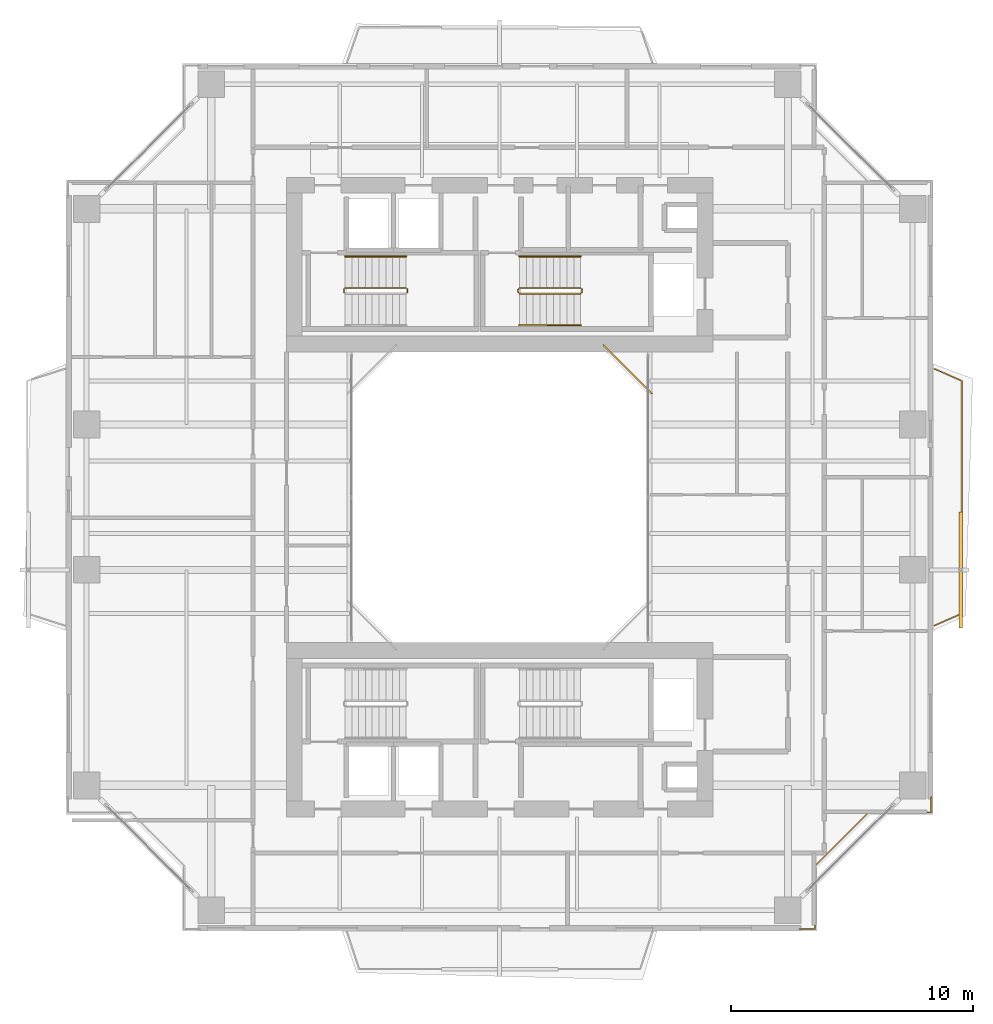
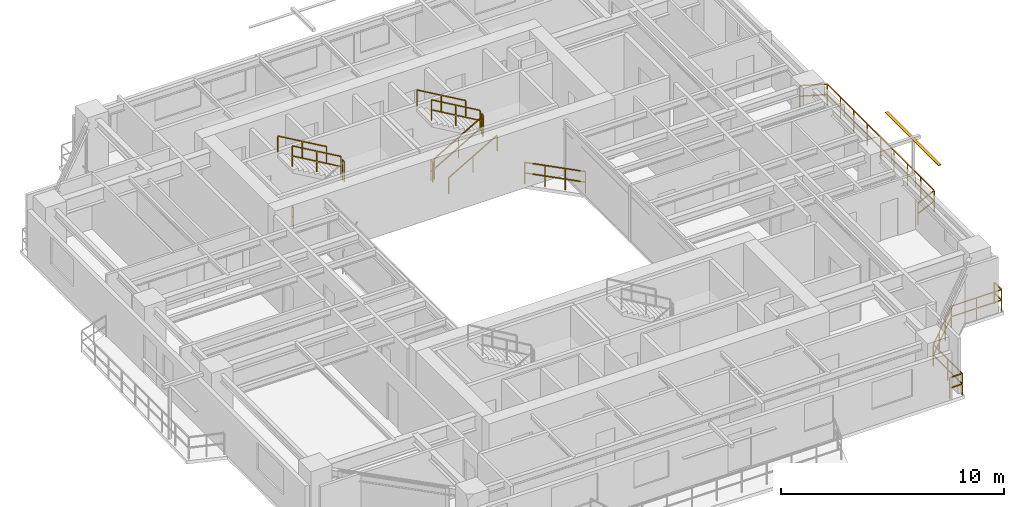
# One storey, part 15 of 16: 13 railings, 1 shading device.
"""IFC4 building model written with IfcOpenShell, lengths in metres."""

from ifc_helpers import new_model, si_unit, direction, frame, origin, origin_2d, place, context, subcontext, project, spatial, rectangle, extrude, source, transform, mapped, material, material_profile, profile_set, type_object, element, save


model = new_model("IFC4")

# Units and contexts
model_context = context("Model", 3, precision=1e-05, world=origin(), true_north=direction((0.0, 1.0)))
body_context = subcontext(model_context, "Body", "Model", "MODEL_VIEW")
ifc_project = project(units=[si_unit("LENGTHUNIT", "METRE"), si_unit("AREAUNIT", "SQUARE_METRE"), si_unit("VOLUMEUNIT", "CUBIC_METRE"), si_unit("PLANEANGLEUNIT", "RADIAN"), si_unit("MASSUNIT", "GRAM", prefix="KILO"), si_unit("THERMODYNAMICTEMPERATUREUNIT", "KELVIN"), si_unit("POWERUNIT", "WATT")], contexts=[model_context])

# Site, building, storey
site_placement = place(None, origin())
site = spatial("IfcSite", under=ifc_project, at=site_placement, CompositionType="ELEMENT")
building_placement = place(site_placement, origin())
building = spatial("IfcBuilding", under=site, at=building_placement, Name="Qiaomeng Ring Towers", CompositionType="ELEMENT")
storey_placement = place(building_placement, frame((0.0, 0.0, 136.0)))
storey = spatial("IfcBuildingStorey", under=building, at=storey_placement, Name="L39", CompositionType="ELEMENT", Elevation=136.0)

# Railings
ifc_material_1 = material(Name="Low-E pale-green laminated safety glass", Category="glass")
railing_type_1 = type_object("IfcRailingType", Name="ARC-RL-BAL1", PredefinedType="BALUSTRADE", material=ifc_material_1)
railing_1_placement = place(storey_placement, frame((25.280029296875, 27.280029296875, 0.0)))
element("IfcRailing", 1, at=railing_1_placement, inside=storey, type_object=railing_type_1, Name="L39 Balustrade ARC-BAL-WELL1-L39-2", PredefinedType="BALUSTRADE", context=body_context, shape_type="SweptSolid", body=[
    extrude(rectangle(XDim=0.048095703125, YDim=0.048095703125, at=origin_2d()), frame((0.0, 0.0, 1.17578125), z_axis=(-0.707106781187, 0.707106781187, 0.0), x_axis=(-0.707106781187, -0.707106781187, 0.0)), (0.0, 0.0, 1.0), 2.828369140625),
    extrude(rectangle(XDim=0.048095703125, YDim=0.048095703125, at=origin_2d()), frame((0.0, 0.0, 0.60009765625), z_axis=(-0.707106781187, 0.707106781187, 0.0), x_axis=(-0.707106781187, -0.707106781187, 0.0)), (0.0, 0.0, 1.0), 2.828369140625),
    extrude(rectangle(XDim=0.0419921875, YDim=0.0419921875, at=origin_2d()), origin(), (0.0, 0.0, 1.0), 1.15185546875),
    extrude(rectangle(XDim=0.0419921875, YDim=0.0419921875, at=origin_2d()), frame((-0.666748046875, 0.666748046875, 0.0)), (0.0, 0.0, 1.0), 1.15185546875),
    extrude(rectangle(XDim=0.0419921875, YDim=0.0419921875, at=origin_2d()), frame((-1.333251953125, 1.333251953125, 0.0)), (0.0, 0.0, 1.0), 1.15185546875),
    extrude(rectangle(XDim=0.0419921875, YDim=0.0419921875, at=origin_2d()), frame((-2.0, 2.0, 0.0)), (0.0, 0.0, 1.0), 1.15185546875),
])
railing_2_placement = place(storey_placement, frame((31.3701171875, 5.179931640625, 0.0)))
element("IfcRailing", 2, at=railing_2_placement, inside=storey, type_object=railing_type_1, Name="L39 Balustrade ARC-BAL-NOTCH1-L39-SE", PredefinedType="BALUSTRADE", context=body_context, shape_type="SweptSolid", body=[
    extrude(rectangle(XDim=0.048095703125, YDim=0.048095703125, at=origin_2d()), frame((0.0, 0.0, 1.17578125), z_axis=(1.0, 0.0, 0.0), x_axis=(0.0, 1.0, 0.0)), (0.0, 0.0, 1.0), 0.64990234375),
    extrude(rectangle(XDim=0.048095703125, YDim=0.048095703125, at=origin_2d()), frame((0.0, 0.0, 0.60009765625), z_axis=(1.0, 0.0, 0.0), x_axis=(0.0, 1.0, 0.0)), (0.0, 0.0, 1.0), 0.64990234375),
    extrude(rectangle(XDim=0.048095703125, YDim=0.048095703125, at=origin_2d()), frame((0.64990234375, 0.0, 1.17578125), z_axis=(0.0, 1.0, 0.0), x_axis=(-1.0, 0.0, 0.0)), (0.0, 0.0, 1.0), 2.60009765625),
    extrude(rectangle(XDim=0.048095703125, YDim=0.048095703125, at=origin_2d()), frame((0.64990234375, 0.0, 0.60009765625), z_axis=(0.0, 1.0, 0.0), x_axis=(-1.0, 0.0, 0.0)), (0.0, 0.0, 1.0), 2.60009765625),
    extrude(rectangle(XDim=0.048095703125, YDim=0.048095703125, at=origin_2d()), frame((0.64990234375, 2.60009765625, 1.17578125), z_axis=(0.707106781187, 0.707106781187, 0.0), x_axis=(-0.707106781187, 0.707106781187, 0.0)), (0.0, 0.0, 1.0), 3.111083984375),
    extrude(rectangle(XDim=0.048095703125, YDim=0.048095703125, at=origin_2d()), frame((0.64990234375, 2.60009765625, 0.60009765625), z_axis=(0.707106781187, 0.707106781187, 0.0), x_axis=(-0.707106781187, 0.707106781187, 0.0)), (0.0, 0.0, 1.0), 3.111083984375),
    extrude(rectangle(XDim=0.048095703125, YDim=0.048095703125, at=origin_2d()), frame((2.849853515625, 4.800048828125, 1.17578125), z_axis=(1.0, 0.0, 0.0), x_axis=(0.0, 1.0, 0.0)), (0.0, 0.0, 1.0), 2.60009765625),
    extrude(rectangle(XDim=0.048095703125, YDim=0.048095703125, at=origin_2d()), frame((2.849853515625, 4.800048828125, 0.60009765625), z_axis=(1.0, 0.0, 0.0), x_axis=(0.0, 1.0, 0.0)), (0.0, 0.0, 1.0), 2.60009765625),
    extrude(rectangle(XDim=0.048095703125, YDim=0.048095703125, at=origin_2d()), frame((5.449951171875, 4.800048828125, 1.17578125), z_axis=(0.0, 1.0, 0.0), x_axis=(-1.0, 0.0, 0.0)), (0.0, 0.0, 1.0), 0.64990234375),
    extrude(rectangle(XDim=0.048095703125, YDim=0.048095703125, at=origin_2d()), frame((5.449951171875, 4.800048828125, 0.60009765625), z_axis=(0.0, 1.0, 0.0), x_axis=(-1.0, 0.0, 0.0)), (0.0, 0.0, 1.0), 0.64990234375),
    extrude(rectangle(XDim=0.0419921875, YDim=0.0419921875, at=origin_2d()), origin(), (0.0, 0.0, 1.0), 1.15185546875),
    extrude(rectangle(XDim=0.0419921875, YDim=0.0419921875, at=origin_2d()), frame((0.64990234375, 0.0, 0.0)), (0.0, 0.0, 1.0), 1.15185546875),
    extrude(rectangle(XDim=0.0419921875, YDim=0.0419921875, at=origin_2d()), frame((0.64990234375, 1.300048828125, 0.0)), (0.0, 0.0, 1.0), 1.15185546875),
    extrude(rectangle(XDim=0.0419921875, YDim=0.0419921875, at=origin_2d()), frame((0.64990234375, 2.60009765625, 0.0)), (0.0, 0.0, 1.0), 1.15185546875),
    extrude(rectangle(XDim=0.0419921875, YDim=0.0419921875, at=origin_2d()), frame((1.38330078125, 3.33349609375, 0.0)), (0.0, 0.0, 1.0), 1.15185546875),
    extrude(rectangle(XDim=0.0419921875, YDim=0.0419921875, at=origin_2d()), frame((2.116455078125, 4.066650390625, 0.0)), (0.0, 0.0, 1.0), 1.15185546875),
    extrude(rectangle(XDim=0.0419921875, YDim=0.0419921875, at=origin_2d()), frame((2.849853515625, 4.800048828125, 0.0)), (0.0, 0.0, 1.0), 1.15185546875),
    extrude(rectangle(XDim=0.0419921875, YDim=0.0419921875, at=origin_2d()), frame((4.14990234375, 4.800048828125, 0.0)), (0.0, 0.0, 1.0), 1.15185546875),
    extrude(rectangle(XDim=0.0419921875, YDim=0.0419921875, at=origin_2d()), frame((5.449951171875, 4.800048828125, 0.0)), (0.0, 0.0, 1.0), 1.15185546875),
    extrude(rectangle(XDim=0.0419921875, YDim=0.0419921875, at=origin_2d()), frame((5.449951171875, 5.449951171875, 0.0)), (0.0, 0.0, 1.0), 1.15185546875),
])
railing_3_placement = place(storey_placement, frame((36.949951171875, 17.699951171875, 0.0)))
element("IfcRailing", 3, at=railing_3_placement, inside=storey, type_object=railing_type_1, Name="L39 Balustrade ARC-BAL-L39-T1-E", PredefinedType="BALUSTRADE", context=body_context, shape_type="SweptSolid", body=[
    extrude(rectangle(XDim=0.048095703125, YDim=0.048095703125, at=origin_2d()), frame((0.0, 0.0, 1.17578125), z_axis=(0.914494575002, 0.404598161504, 0.0), x_axis=(-0.404598161504, 0.914494575002, 0.0)), (0.0, 0.0, 1.0), 1.23583984375),
    extrude(rectangle(XDim=0.048095703125, YDim=0.048095703125, at=origin_2d()), frame((0.0, 0.0, 0.60009765625), z_axis=(0.914494575002, 0.404598161504, 0.0), x_axis=(-0.404598161504, 0.914494575002, 0.0)), (0.0, 0.0, 1.0), 1.23583984375),
    extrude(rectangle(XDim=0.048095703125, YDim=0.048095703125, at=origin_2d()), frame((1.130126953125, 0.5, 1.17578125), z_axis=(0.0, 1.0, 0.0), x_axis=(-1.0, 0.0, 0.0)), (0.0, 0.0, 1.0), 9.60009765625),
    extrude(rectangle(XDim=0.048095703125, YDim=0.048095703125, at=origin_2d()), frame((1.130126953125, 0.5, 0.60009765625), z_axis=(0.0, 1.0, 0.0), x_axis=(-1.0, 0.0, 0.0)), (0.0, 0.0, 1.0), 9.60009765625),
    extrude(rectangle(XDim=0.048095703125, YDim=0.048095703125, at=origin_2d()), frame((1.130126953125, 10.10009765625, 1.17578125), z_axis=(-0.914494575002, 0.404598161504, 0.0), x_axis=(-0.404598161504, -0.914494575002, 0.0)), (0.0, 0.0, 1.0), 1.23583984375),
    extrude(rectangle(XDim=0.048095703125, YDim=0.048095703125, at=origin_2d()), frame((1.130126953125, 10.10009765625, 0.60009765625), z_axis=(-0.914494575002, 0.404598161504, 0.0), x_axis=(-0.404598161504, -0.914494575002, 0.0)), (0.0, 0.0, 1.0), 1.23583984375),
    extrude(rectangle(XDim=0.0419921875, YDim=0.0419921875, at=origin_2d()), origin(), (0.0, 0.0, 1.0), 1.15185546875),
    extrude(rectangle(XDim=0.0419921875, YDim=0.0419921875, at=origin_2d()), frame((1.130126953125, 0.5, 0.0)), (0.0, 0.0, 1.0), 1.15185546875),
    extrude(rectangle(XDim=0.0419921875, YDim=0.0419921875, at=origin_2d()), frame((1.130126953125, 1.699951171875, 0.0)), (0.0, 0.0, 1.0), 1.15185546875),
    extrude(rectangle(XDim=0.0419921875, YDim=0.0419921875, at=origin_2d()), frame((1.130126953125, 2.89990234375, 0.0)), (0.0, 0.0, 1.0), 1.15185546875),
    extrude(rectangle(XDim=0.0419921875, YDim=0.0419921875, at=origin_2d()), frame((1.130126953125, 4.10009765625, 0.0)), (0.0, 0.0, 1.0), 1.15185546875),
    extrude(rectangle(XDim=0.0419921875, YDim=0.0419921875, at=origin_2d()), frame((1.130126953125, 5.300048828125, 0.0)), (0.0, 0.0, 1.0), 1.15185546875),
    extrude(rectangle(XDim=0.0419921875, YDim=0.0419921875, at=origin_2d()), frame((1.130126953125, 6.5, 0.0)), (0.0, 0.0, 1.0), 1.15185546875),
    extrude(rectangle(XDim=0.0419921875, YDim=0.0419921875, at=origin_2d()), frame((1.130126953125, 7.7001953125, 0.0)), (0.0, 0.0, 1.0), 1.15185546875),
    extrude(rectangle(XDim=0.0419921875, YDim=0.0419921875, at=origin_2d()), frame((1.130126953125, 8.900146484375, 0.0)), (0.0, 0.0, 1.0), 1.15185546875),
    extrude(rectangle(XDim=0.0419921875, YDim=0.0419921875, at=origin_2d()), frame((1.130126953125, 10.10009765625, 0.0)), (0.0, 0.0, 1.0), 1.15185546875),
    extrude(rectangle(XDim=0.0419921875, YDim=0.0419921875, at=origin_2d()), frame((0.0, 10.60009765625, 0.0)), (0.0, 0.0, 1.0), 1.15185546875),
])
ifc_material_2 = material(Name="Galvanised steel", Category="steel")
railing_type_2 = type_object("IfcRailingType", Name="ARC-RL-GUARD", PredefinedType="GUARDRAIL", material=ifc_material_2)
railing_4_placement = place(storey_placement, frame((15.18994140625, 31.449951171875, 1.625)))
element("IfcRailing", 4, at=railing_4_placement, inside=storey, type_object=railing_type_2, Name="L39 ST1 stair guard 2", PredefinedType="GUARDRAIL", context=body_context, shape_type="SweptSolid", body=[
    extrude(rectangle(XDim=0.048095703125, YDim=0.048095703125, at=origin_2d()), frame((0.0, 0.0, 1.1259765625), z_axis=(0.0, 1.0, 0.0), x_axis=(-1.0, 0.0, 0.0)), (0.0, 0.0, 1.0), 0.14013671875),
    extrude(rectangle(XDim=0.048095703125, YDim=0.048095703125, at=origin_2d()), frame((0.0, 0.0, 0.574951171875), z_axis=(0.0, 1.0, 0.0), x_axis=(-1.0, 0.0, 0.0)), (0.0, 0.0, 1.0), 0.14013671875),
    extrude(rectangle(XDim=0.0419921875, YDim=0.0419921875, at=origin_2d()), origin(), (0.0, 0.0, 1.0), 1.101806640625),
    extrude(rectangle(XDim=0.0419921875, YDim=0.0419921875, at=origin_2d()), frame((0.0, 0.14013671875, 0.0)), (0.0, 0.0, 1.0), 1.101806640625),
])
railing_5_placement = place(storey_placement, frame((15.139892578125, 31.639892578125, 1.78759765625)))
element("IfcRailing", 5, at=railing_5_placement, inside=storey, type_object=railing_type_2, Name="L39 ST1 stair guard 3", PredefinedType="GUARDRAIL", context=body_context, shape_type="SweptSolid", body=[
    extrude(rectangle(XDim=0.048095703125, YDim=0.048095703125, at=origin_2d()), frame((0.0, 0.0, 1.1259765625), z_axis=(-0.864892226395, 0.0, 0.501957604506), x_axis=(0.0, -1.0, 0.0)), (0.0, 0.0, 1.0), 2.913330078125),
    extrude(rectangle(XDim=0.048095703125, YDim=0.048095703125, at=origin_2d()), frame((0.0, 0.0, 0.574951171875), z_axis=(-0.864892226395, 0.0, 0.501957604506), x_axis=(0.0, -1.0, 0.0)), (0.0, 0.0, 1.0), 2.913330078125),
    extrude(rectangle(XDim=0.0419921875, YDim=0.0419921875, at=origin_2d()), origin(), (0.0, 0.0, 1.0), 1.101806640625),
    extrude(rectangle(XDim=0.0419921875, YDim=0.0419921875, at=origin_2d()), frame((-1.259765625, 0.0, 0.731201171875)), (0.0, 0.0, 1.0), 1.101806640625),
    extrude(rectangle(XDim=0.0419921875, YDim=0.0419921875, at=origin_2d()), frame((-2.519775390625, 0.0, 1.46240234375)), (0.0, 0.0, 1.0), 1.101806640625),
])
railing_6_placement = place(storey_placement, frame((12.570068359375, 31.449951171875, 0.0)))
element("IfcRailing", 6, at=railing_6_placement, inside=storey, type_object=railing_type_2, Name="L39 ST1 stair guard 4", PredefinedType="GUARDRAIL", context=body_context, shape_type="SweptSolid", body=[
    extrude(rectangle(XDim=0.048095703125, YDim=0.048095703125, at=origin_2d()), frame((0.0, 0.0, 1.1259765625), z_axis=(0.0, 1.0, 0.0), x_axis=(-1.0, 0.0, 0.0)), (0.0, 0.0, 1.0), 0.14013671875),
    extrude(rectangle(XDim=0.048095703125, YDim=0.048095703125, at=origin_2d()), frame((0.0, 0.0, 0.574951171875), z_axis=(0.0, 1.0, 0.0), x_axis=(-1.0, 0.0, 0.0)), (0.0, 0.0, 1.0), 0.14013671875),
    extrude(rectangle(XDim=0.0419921875, YDim=0.0419921875, at=origin_2d()), origin(), (0.0, 0.0, 1.0), 1.101806640625),
    extrude(rectangle(XDim=0.0419921875, YDim=0.0419921875, at=origin_2d()), frame((0.0, 0.14013671875, 0.0)), (0.0, 0.0, 1.0), 1.101806640625),
])
railing_7_placement = place(storey_placement, frame((19.820068359375, 31.39990234375, 0.16259765625)))
element("IfcRailing", 7, at=railing_7_placement, inside=storey, type_object=railing_type_2, Name="L39 ST2 stair guard 1", PredefinedType="GUARDRAIL", context=body_context, shape_type="SweptSolid", body=[
    extrude(rectangle(XDim=0.048095703125, YDim=0.048095703125, at=origin_2d()), frame((0.0, 0.0, 1.1259765625), z_axis=(0.864913338283, 0.0, 0.50192122615), x_axis=(0.0, 1.0, 0.0)), (0.0, 0.0, 1.0), 2.91357421875),
    extrude(rectangle(XDim=0.048095703125, YDim=0.048095703125, at=origin_2d()), frame((0.0, 0.0, 0.574951171875), z_axis=(0.864913338283, 0.0, 0.50192122615), x_axis=(0.0, 1.0, 0.0)), (0.0, 0.0, 1.0), 2.91357421875),
    extrude(rectangle(XDim=0.0419921875, YDim=0.0419921875, at=origin_2d()), origin(), (0.0, 0.0, 1.0), 1.101806640625),
    extrude(rectangle(XDim=0.0419921875, YDim=0.0419921875, at=origin_2d()), frame((1.260009765625, 0.0, 0.731201171875)), (0.0, 0.0, 1.0), 1.101806640625),
    extrude(rectangle(XDim=0.0419921875, YDim=0.0419921875, at=origin_2d()), frame((2.52001953125, 0.0, 1.46240234375)), (0.0, 0.0, 1.0), 1.101806640625),
])
railing_8_placement = place(storey_placement, frame((22.389892578125, 31.449951171875, 1.625)))
element("IfcRailing", 8, at=railing_8_placement, inside=storey, type_object=railing_type_2, Name="L39 ST2 stair guard 2", PredefinedType="GUARDRAIL", context=body_context, shape_type="SweptSolid", body=[
    extrude(rectangle(XDim=0.048095703125, YDim=0.048095703125, at=origin_2d()), frame((0.0, 0.0, 1.1259765625), z_axis=(0.0, 1.0, 0.0), x_axis=(-1.0, 0.0, 0.0)), (0.0, 0.0, 1.0), 0.14013671875),
    extrude(rectangle(XDim=0.048095703125, YDim=0.048095703125, at=origin_2d()), frame((0.0, 0.0, 0.574951171875), z_axis=(0.0, 1.0, 0.0), x_axis=(-1.0, 0.0, 0.0)), (0.0, 0.0, 1.0), 0.14013671875),
    extrude(rectangle(XDim=0.0419921875, YDim=0.0419921875, at=origin_2d()), origin(), (0.0, 0.0, 1.0), 1.101806640625),
    extrude(rectangle(XDim=0.0419921875, YDim=0.0419921875, at=origin_2d()), frame((0.0, 0.14013671875, 0.0)), (0.0, 0.0, 1.0), 1.101806640625),
])
railing_9_placement = place(storey_placement, frame((22.340087890625, 31.639892578125, 1.78759765625)))
element("IfcRailing", 9, at=railing_9_placement, inside=storey, type_object=railing_type_2, Name="L39 ST2 stair guard 3", PredefinedType="GUARDRAIL", context=body_context, shape_type="SweptSolid", body=[
    extrude(rectangle(XDim=0.048095703125, YDim=0.048095703125, at=origin_2d()), frame((0.0, 0.0, 1.1259765625), z_axis=(-0.864913338283, 0.0, 0.50192122615), x_axis=(0.0, -1.0, 0.0)), (0.0, 0.0, 1.0), 2.91357421875),
    extrude(rectangle(XDim=0.048095703125, YDim=0.048095703125, at=origin_2d()), frame((0.0, 0.0, 0.574951171875), z_axis=(-0.864913338283, 0.0, 0.50192122615), x_axis=(0.0, -1.0, 0.0)), (0.0, 0.0, 1.0), 2.91357421875),
    extrude(rectangle(XDim=0.0419921875, YDim=0.0419921875, at=origin_2d()), origin(), (0.0, 0.0, 1.0), 1.101806640625),
    extrude(rectangle(XDim=0.0419921875, YDim=0.0419921875, at=origin_2d()), frame((-1.260009765625, 0.0, 0.731201171875)), (0.0, 0.0, 1.0), 1.101806640625),
    extrude(rectangle(XDim=0.0419921875, YDim=0.0419921875, at=origin_2d()), frame((-2.52001953125, 0.0, 1.46240234375)), (0.0, 0.0, 1.0), 1.101806640625),
])
railing_10_placement = place(storey_placement, frame((19.77001953125, 31.449951171875, 0.0)))
element("IfcRailing", 10, at=railing_10_placement, inside=storey, type_object=railing_type_2, Name="L39 ST2 stair guard 4", PredefinedType="GUARDRAIL", context=body_context, shape_type="SweptSolid", body=[
    extrude(rectangle(XDim=0.048095703125, YDim=0.048095703125, at=origin_2d()), frame((0.0, 0.0, 1.1259765625), z_axis=(0.0, 1.0, 0.0), x_axis=(-1.0, 0.0, 0.0)), (0.0, 0.0, 1.0), 0.14013671875),
    extrude(rectangle(XDim=0.048095703125, YDim=0.048095703125, at=origin_2d()), frame((0.0, 0.0, 0.574951171875), z_axis=(0.0, 1.0, 0.0), x_axis=(-1.0, 0.0, 0.0)), (0.0, 0.0, 1.0), 0.14013671875),
    extrude(rectangle(XDim=0.0419921875, YDim=0.0419921875, at=origin_2d()), origin(), (0.0, 0.0, 1.0), 1.101806640625),
    extrude(rectangle(XDim=0.0419921875, YDim=0.0419921875, at=origin_2d()), frame((0.0, 0.14013671875, 0.0)), (0.0, 0.0, 1.0), 1.101806640625),
])
ifc_material_3 = material(Name="Stainless steel 316", Category="steel")
railing_type_3 = type_object("IfcRailingType", Name="ARC-RL-HAND", PredefinedType="HANDRAIL", material=ifc_material_3)
railing_11_placement = place(storey_placement, frame((15.139892578125, 32.93994140625, 1.78759765625)))
element("IfcRailing", 11, at=railing_11_placement, inside=storey, type_object=railing_type_3, Name="L39 ST1 stair handrail 2", PredefinedType="HANDRAIL", context=body_context, shape_type="SweptSolid", body=[
    extrude(rectangle(XDim=0.048095703125, YDim=0.048095703125, at=origin_2d()), frame((0.0, 0.0, 0.8759765625), z_axis=(-0.864892226395, 0.0, 0.501957604506), x_axis=(0.0, -1.0, 0.0)), (0.0, 0.0, 1.0), 2.913330078125),
    extrude(rectangle(XDim=0.0419921875, YDim=0.0419921875, at=origin_2d()), origin(), (0.0, 0.0, 1.0), 0.851806640625),
    extrude(rectangle(XDim=0.0419921875, YDim=0.0419921875, at=origin_2d()), frame((-1.259765625, 0.0, 0.731201171875)), (0.0, 0.0, 1.0), 0.851806640625),
    extrude(rectangle(XDim=0.0419921875, YDim=0.0419921875, at=origin_2d()), frame((-2.519775390625, 0.0, 1.46240234375)), (0.0, 0.0, 1.0), 0.851806640625),
])
railing_12_placement = place(storey_placement, frame((19.820068359375, 30.10009765625, 0.16259765625)))
element("IfcRailing", 12, at=railing_12_placement, inside=storey, type_object=railing_type_3, Name="L39 ST2 stair handrail 1", PredefinedType="HANDRAIL", context=body_context, shape_type="SweptSolid", body=[
    extrude(rectangle(XDim=0.048095703125, YDim=0.048095703125, at=origin_2d()), frame((0.0, 0.0, 0.8759765625), z_axis=(0.864913338283, 0.0, 0.50192122615), x_axis=(0.0, 1.0, 0.0)), (0.0, 0.0, 1.0), 2.91357421875),
    extrude(rectangle(XDim=0.0419921875, YDim=0.0419921875, at=origin_2d()), origin(), (0.0, 0.0, 1.0), 0.851806640625),
    extrude(rectangle(XDim=0.0419921875, YDim=0.0419921875, at=origin_2d()), frame((1.260009765625, 0.0, 0.731201171875)), (0.0, 0.0, 1.0), 0.851806640625),
    extrude(rectangle(XDim=0.0419921875, YDim=0.0419921875, at=origin_2d()), frame((2.52001953125, 0.0, 1.46240234375)), (0.0, 0.0, 1.0), 0.851806640625),
])
railing_13_placement = place(storey_placement, frame((22.340087890625, 32.93994140625, 1.78759765625)))
element("IfcRailing", 13, at=railing_13_placement, inside=storey, type_object=railing_type_3, Name="L39 ST2 stair handrail 2", PredefinedType="HANDRAIL", context=body_context, shape_type="SweptSolid", body=[
    extrude(rectangle(XDim=0.048095703125, YDim=0.048095703125, at=origin_2d()), frame((0.0, 0.0, 0.8759765625), z_axis=(-0.864913338283, 0.0, 0.50192122615), x_axis=(0.0, -1.0, 0.0)), (0.0, 0.0, 1.0), 2.91357421875),
    extrude(rectangle(XDim=0.0419921875, YDim=0.0419921875, at=origin_2d()), origin(), (0.0, 0.0, 1.0), 0.851806640625),
    extrude(rectangle(XDim=0.0419921875, YDim=0.0419921875, at=origin_2d()), frame((-1.260009765625, 0.0, 0.731201171875)), (0.0, 0.0, 1.0), 0.851806640625),
    extrude(rectangle(XDim=0.0419921875, YDim=0.0419921875, at=origin_2d()), frame((-2.52001953125, 0.0, 1.46240234375)), (0.0, 0.0, 1.0), 0.851806640625),
])

# Shading device
ifc_material_4 = material(Name="Fluorocarbon dark-grey aluminium", Category="aluminium")
ifc_material_profile = material_profile(ifc_material_4, rectangle(XDim=0.14990234375, YDim=0.034912109375, at=origin_2d()), Name="LV BLADE 150x35")
ifc_profile_set = profile_set([ifc_material_profile], Name="Fluorocarbon dark-grey aluminium")
shading_device_type = type_object("IfcShadingDeviceType", Name="ARC-SHD-SUN", PredefinedType="AWNING", material=ifc_profile_set)
shared_shape = source(origin(), body_context, "Body", "SweptSolid", [
    extrude(rectangle(XDim=0.14990234375, YDim=0.034912109375, at=origin_2d()), origin(), (0.0, 0.0, 1.0), 4.7998046875),
])
shading_device_placement = place(storey_placement, frame((38.030029296875, 17.60009765625, 2.929931640625), z_axis=(0.0, 1.0, 0.0), x_axis=(-1.0, 0.0, 0.0)))
element("IfcShadingDevice", 14, at=shading_device_placement, inside=storey, type_object=shading_device_type, Name="L39 Ventilated Outer-Skin Sunshade E", PredefinedType="AWNING", context=body_context, shape_type="MappedRepresentation", body=[
    mapped(shared_shape, transform((0.0, 0.0, 0.0), x_axis=(1.0, 0.0, 0.0), y_axis=(0.0, 1.0, 0.0), z_axis=(0.0, 0.0, 1.0), scale=1.0)),
])

save(model, "model.ifc")
